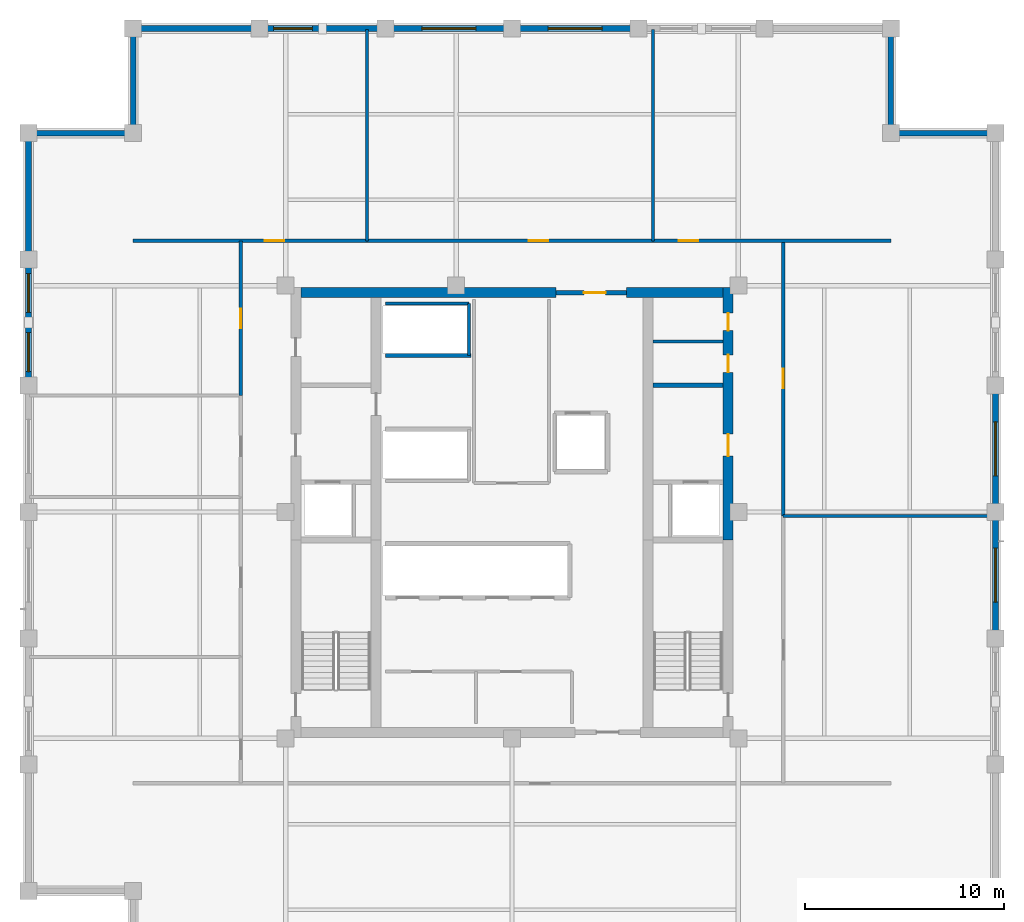
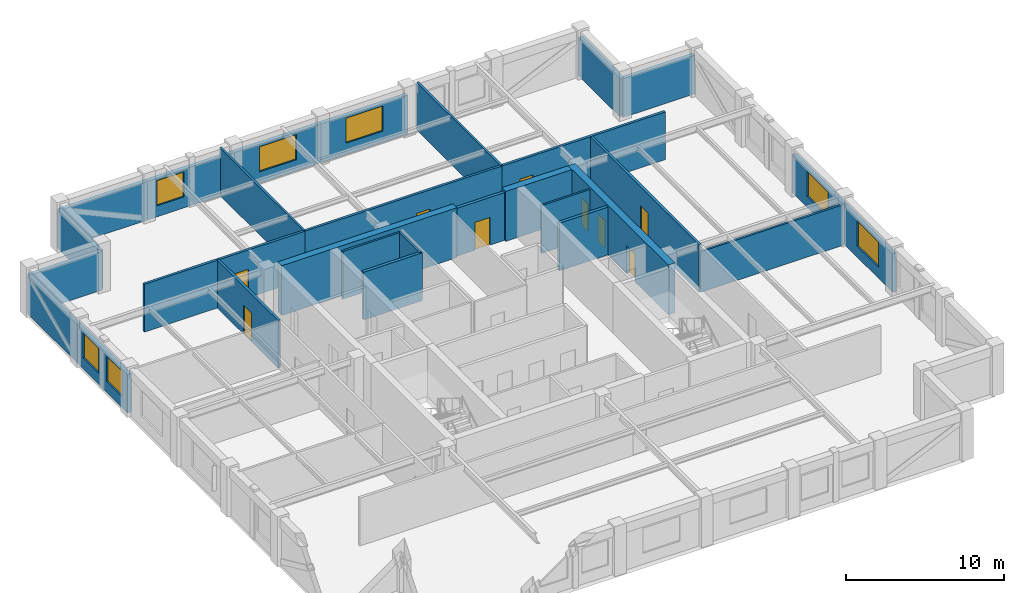
# One storey, part 7 of 9: 29 walls, 9 doors, 7 windows, 16 openings.
"""IFC4 building model written with IfcOpenShell, lengths in metres."""

from ifc_helpers import new_model, si_unit, direction, frame, frame_2d, origin, place, context, subcontext, project, spatial, rectangle, extrude, material, layer, layer_set, type_object, element, fill, save


model = new_model("IFC4")

# Units and contexts
model_context = context("Model", 3, precision=1e-05, world=origin(), true_north=direction((0.0, 1.0)))
body_context = subcontext(model_context, "Body", "Model", "MODEL_VIEW")
ifc_project = project(units=[si_unit("LENGTHUNIT", "METRE"), si_unit("AREAUNIT", "SQUARE_METRE"), si_unit("VOLUMEUNIT", "CUBIC_METRE"), si_unit("PLANEANGLEUNIT", "RADIAN"), si_unit("MASSUNIT", "GRAM", prefix="KILO")], contexts=[model_context])

# Site, building, storey
site_placement = place(None, origin())
site = spatial("IfcSite", under=ifc_project, at=site_placement, CompositionType="ELEMENT")
building_placement = place(site_placement, origin())
building = spatial("IfcBuilding", under=site, at=building_placement, Name="Nhamokura Convention Tower", CompositionType="ELEMENT")
storey_placement = place(building_placement, frame((0.0, 0.0, 190.75)))
storey = spatial("IfcBuildingStorey", under=building, at=storey_placement, Name="L46", CompositionType="ELEMENT", Elevation=190.75)

# Walls
ifc_material_1 = material(Name="Moisture-resistant tile-backer partition", Category="masonry")
ifc_layer_1 = layer(ifc_material_1, 0.139892578125)
ifc_layer_set_1 = layer_set([ifc_layer_1], Name="BathroomWetWall_140")
wall_type_1 = type_object("IfcWallType", Name="BathroomWetWall_140", PredefinedType="STANDARD", material=ifc_layer_set_1)
wall_1_placement = place(storey_placement, frame((39.06005859375, 40.550048828125, 0.0), z_axis=(0.0, 0.0, 1.0), x_axis=(1.0, 0.0, 0.0)))
element("IfcWall", 1, at=wall_1_placement, inside=storey, type_object=wall_type_1, Name="L46 Wall INT-L46-CWNE", PredefinedType="STANDARD", context=body_context, shape_type="SweptSolid", body=[
    extrude(rectangle(XDim=3.530029296875, YDim=0.139892578125, at=frame_2d((1.76513671875, 0.0))), origin(), (0.0, 0.0, 1.0), 3.68505859375),
])
ifc_material_2 = material(Name="Bronze-pigmented precast concrete C45/55", Category="concrete")
ifc_layer_2 = layer(ifc_material_2, 0.280029296875)
ifc_layer_set_2 = layer_set([ifc_layer_2], Name="BronzePrecastSpandrel_280")
wall_type_2 = type_object("IfcWallType", Name="BronzePrecastSpandrel_280", PredefinedType="USERDEFINED", material=ifc_layer_set_2)
wall_2_placement = place(storey_placement, frame((13.0, 56.25, 0.0), z_axis=(0.0, 0.0, 1.0), x_axis=(1.0, 0.0, 0.0)))
element("IfcWall", 2, at=wall_2_placement, inside=storey, type_object=wall_type_2, Name="L46 Braced-Bay Precast Wall NORTH 0", ObjectType="SPANDREL_WALL", PredefinedType="USERDEFINED", context=body_context, shape_type="SweptSolid", body=[
    extrude(rectangle(XDim=6.333251953125, YDim=0.280029296875, at=frame_2d((3.16650390625, 0.0))), origin(), (0.0, 0.0, 1.0), 2.985107421875),
])

# Wall, opening, window
wall_3_placement = place(storey_placement, frame((19.333251953125, 56.25, 0.0), z_axis=(0.0, 0.0, 1.0), x_axis=(1.0, 0.0, 0.0)))
wall_3 = element("IfcWall", 3, at=wall_3_placement, inside=storey, type_object=wall_type_2, Name="L46 Masonry-Frame Wall NORTH 1", ObjectType="SPANDREL_WALL", PredefinedType="USERDEFINED", context=body_context, shape_type="SweptSolid", body=[
    extrude(rectangle(XDim=6.33349609375, YDim=0.280029296875, at=frame_2d((3.166748046875, 0.0))), origin(), (0.0, 0.0, 1.0), 2.985107421875),
])
opening_1_placement = place(wall_3_placement, frame((0.708251953125, 0.0, 0.85009765625)))
opening_1 = element("IfcOpeningElement", 4, at=opening_1_placement, cuts=wall_3, Name="Opening W-08", PredefinedType="OPENING", context=body_context, shape_type="SweptSolid", body=[
    extrude(rectangle(XDim=1.949951171875, YDim=1.93505859375, at=frame_2d((0.97509765625, 0.967529296875))), frame((0.0, 0.14990234375, 0.0), z_axis=(0.0, -1.0, 0.0), x_axis=(1.0, 0.0, 0.0)), (0.0, 0.0, 1.0), 0.300048828125),
])
ifc_material_3 = material(Name="Solar-control bronze low-E double glass", Category="glass")
window_type_1 = type_object("IfcWindowType", Name="OfficeModuleWindow_Z3_1950", PartitioningType="SINGLE_PANEL", PredefinedType="WINDOW", material=ifc_material_3)
window_1_placement = place(opening_1_placement, origin())
window_1 = element("IfcWindow", 5, at=window_1_placement, inside=storey, type_object=window_type_1, Name="L46 Facade Window NORTH 1-1", OverallHeight=1.93505859375, OverallWidth=1.949951171875, PartitioningType="SINGLE_PANEL", PredefinedType="WINDOW", context=body_context, shape_type="SweptSolid", body=[
    extrude(rectangle(XDim=1.949951171875, YDim=1.93505859375, at=frame_2d((0.97509765625, 0.967529296875))), frame((0.0, 0.030029296875, 0.0), z_axis=(0.0, -1.0, 0.0), x_axis=(1.0, 0.0, 0.0)), (0.0, 0.0, 1.0), 0.06005859375),
])
fill(opening_1, window_1)

wall_4_placement = place(storey_placement, frame((25.666748046875, 56.25, 0.0), z_axis=(0.0, 0.0, 1.0), x_axis=(1.0, 0.0, 0.0)))
wall_4 = element("IfcWall", 6, at=wall_4_placement, inside=storey, type_object=wall_type_2, Name="L46 Masonry-Frame Wall NORTH 2", ObjectType="SPANDREL_WALL", PredefinedType="USERDEFINED", context=body_context, shape_type="SweptSolid", body=[
    extrude(rectangle(XDim=6.333251953125, YDim=0.280029296875, at=frame_2d((3.16650390625, 0.0))), origin(), (0.0, 0.0, 1.0), 2.985107421875),
])
opening_2_placement = place(wall_4_placement, frame((1.816650390625, 0.0, 0.85009765625)))
opening_2 = element("IfcOpeningElement", 7, at=opening_2_placement, cuts=wall_4, Name="Opening W-07", PredefinedType="OPENING", context=body_context, shape_type="SweptSolid", body=[
    extrude(rectangle(XDim=2.699951171875, YDim=1.93505859375, at=frame_2d((1.35009765625, 0.967529296875))), frame((0.0, 0.14990234375, 0.0), z_axis=(0.0, -1.0, 0.0), x_axis=(1.0, 0.0, 0.0)), (0.0, 0.0, 1.0), 0.300048828125),
])
ifc_material_4 = material(Name="Solar-control bronze low-E double glass", Category="glass")
window_type_2 = type_object("IfcWindowType", Name="OfficeModuleWindow_Z3_2700", PartitioningType="DOUBLE_PANEL_VERTICAL", PredefinedType="WINDOW", material=ifc_material_4)
window_2_placement = place(opening_2_placement, origin())
window_2 = element("IfcWindow", 8, at=window_2_placement, inside=storey, type_object=window_type_2, Name="L46 Facade Window NORTH 2", OverallHeight=1.93505859375, OverallWidth=2.699951171875, PartitioningType="SINGLE_PANEL", PredefinedType="WINDOW", context=body_context, shape_type="SweptSolid", body=[
    extrude(rectangle(XDim=2.699951171875, YDim=1.93505859375, at=frame_2d((1.35009765625, 0.967529296875))), frame((0.0, 0.030029296875, 0.0), z_axis=(0.0, -1.0, 0.0), x_axis=(1.0, 0.0, 0.0)), (0.0, 0.0, 1.0), 0.06005859375),
])
fill(opening_2, window_2)

wall_5_placement = place(storey_placement, frame((32.0, 56.25, 0.0), z_axis=(0.0, 0.0, 1.0), x_axis=(1.0, 0.0, 0.0)))
wall_5 = element("IfcWall", 9, at=wall_5_placement, inside=storey, type_object=wall_type_2, Name="L46 Masonry-Frame Wall NORTH 3", ObjectType="SPANDREL_WALL", PredefinedType="USERDEFINED", context=body_context, shape_type="SweptSolid", body=[
    extrude(rectangle(XDim=6.333251953125, YDim=0.280029296875, at=frame_2d((3.16650390625, 0.0))), origin(), (0.0, 0.0, 1.0), 2.985107421875),
])
opening_3_placement = place(wall_5_placement, frame((1.816650390625, 0.0, 0.85009765625)))
opening_3 = element("IfcOpeningElement", 10, at=opening_3_placement, cuts=wall_5, Name="Opening W-07", PredefinedType="OPENING", context=body_context, shape_type="SweptSolid", body=[
    extrude(rectangle(XDim=2.699951171875, YDim=1.93505859375, at=frame_2d((1.35009765625, 0.967529296875))), frame((0.0, 0.14990234375, 0.0), z_axis=(0.0, -1.0, 0.0), x_axis=(1.0, 0.0, 0.0)), (0.0, 0.0, 1.0), 0.300048828125),
])
window_3_placement = place(opening_3_placement, origin())
window_3 = element("IfcWindow", 11, at=window_3_placement, inside=storey, type_object=window_type_2, Name="L46 Facade Window NORTH 3", OverallHeight=1.93505859375, OverallWidth=2.699951171875, PartitioningType="SINGLE_PANEL", PredefinedType="WINDOW", context=body_context, shape_type="SweptSolid", body=[
    extrude(rectangle(XDim=2.699951171875, YDim=1.93505859375, at=frame_2d((1.35009765625, 0.967529296875))), frame((0.0, 0.030029296875, 0.0), z_axis=(0.0, -1.0, 0.0), x_axis=(1.0, 0.0, 0.0)), (0.0, 0.0, 1.0), 0.06005859375),
])
fill(opening_3, window_3)

# Wall, openings, windows
wall_6_placement = place(storey_placement, frame((7.75, 38.333251953125, 0.0), z_axis=(0.0, 0.0, 1.0), x_axis=(0.0, 1.0, 0.0)))
wall_6 = element("IfcWall", 12, at=wall_6_placement, inside=storey, type_object=wall_type_2, Name="L46 Masonry-Frame Wall WEST 4", ObjectType="SPANDREL_WALL", PredefinedType="USERDEFINED", context=body_context, shape_type="SweptSolid", body=[
    extrude(rectangle(XDim=6.33349609375, YDim=0.280029296875, at=frame_2d((3.166748046875, 0.0))), origin(), (0.0, 0.0, 1.0), 2.985107421875),
])
opening_4_placement = place(wall_6_placement, frame((0.708251953125, 0.0, 0.85009765625)))
opening_4 = element("IfcOpeningElement", 13, at=opening_4_placement, cuts=wall_6, Name="Opening W-08", PredefinedType="OPENING", context=body_context, shape_type="SweptSolid", body=[
    extrude(rectangle(XDim=1.949951171875, YDim=1.93505859375, at=frame_2d((0.97509765625, 0.967529296875))), frame((0.0, 0.14990234375, 0.0), z_axis=(0.0, -1.0, 0.0), x_axis=(1.0, 0.0, 0.0)), (0.0, 0.0, 1.0), 0.300048828125),
])
opening_5_placement = place(wall_6_placement, frame((3.675048828125, 0.0, 0.85009765625)))
opening_5 = element("IfcOpeningElement", 14, at=opening_5_placement, cuts=wall_6, Name="Opening W-08", PredefinedType="OPENING", context=body_context, shape_type="SweptSolid", body=[
    extrude(rectangle(XDim=1.949951171875, YDim=1.93505859375, at=frame_2d((0.97509765625, 0.967529296875))), frame((0.0, 0.14990234375, 0.0), z_axis=(0.0, -1.0, 0.0), x_axis=(1.0, 0.0, 0.0)), (0.0, 0.0, 1.0), 0.300048828125),
])
window_4_placement = place(opening_4_placement, origin())
window_4 = element("IfcWindow", 15, at=window_4_placement, inside=storey, type_object=window_type_1, Name="L46 Facade Window WEST 4-1", OverallHeight=1.93505859375, OverallWidth=1.949951171875, PartitioningType="SINGLE_PANEL", PredefinedType="WINDOW", context=body_context, shape_type="SweptSolid", body=[
    extrude(rectangle(XDim=1.949951171875, YDim=1.93505859375, at=frame_2d((0.97509765625, 0.967529296875))), frame((0.0, 0.030029296875, 0.0), z_axis=(0.0, -1.0, 0.0), x_axis=(1.0, 0.0, 0.0)), (0.0, 0.0, 1.0), 0.06005859375),
])
fill(opening_4, window_4)
window_5_placement = place(opening_5_placement, origin())
window_5 = element("IfcWindow", 16, at=window_5_placement, inside=storey, type_object=window_type_1, Name="L46 Facade Window WEST 4-2", OverallHeight=1.93505859375, OverallWidth=1.949951171875, PartitioningType="SINGLE_PANEL", PredefinedType="WINDOW", context=body_context, shape_type="SweptSolid", body=[
    extrude(rectangle(XDim=1.949951171875, YDim=1.93505859375, at=frame_2d((0.97509765625, 0.967529296875))), frame((0.0, 0.030029296875, 0.0), z_axis=(0.0, -1.0, 0.0), x_axis=(1.0, 0.0, 0.0)), (0.0, 0.0, 1.0), 0.06005859375),
])
fill(opening_5, window_5)

# Wall
wall_7_placement = place(storey_placement, frame((7.75, 44.666748046875, 0.0), z_axis=(0.0, 0.0, 1.0), x_axis=(0.0, 1.0, 0.0)))
element("IfcWall", 17, at=wall_7_placement, inside=storey, type_object=wall_type_2, Name="L46 Braced-Bay Precast Wall WEST 5", ObjectType="SPANDREL_WALL", PredefinedType="USERDEFINED", context=body_context, shape_type="SweptSolid", body=[
    extrude(rectangle(XDim=6.333251953125, YDim=0.280029296875, at=frame_2d((3.16650390625, 0.0))), origin(), (0.0, 0.0, 1.0), 2.985107421875),
])

# Wall, opening, window
wall_8_placement = place(storey_placement, frame((56.25, 32.0, 0.0), z_axis=(0.0, 0.0, 1.0), x_axis=(0.0, -1.0, 0.0)))
wall_8 = element("IfcWall", 18, at=wall_8_placement, inside=storey, type_object=wall_type_2, Name="L46 Masonry-Frame Wall EAST 2", ObjectType="SPANDREL_WALL", PredefinedType="USERDEFINED", context=body_context, shape_type="SweptSolid", body=[
    extrude(rectangle(XDim=6.333251953125, YDim=0.280029296875, at=frame_2d((3.16650390625, 0.0))), origin(), (0.0, 0.0, 1.0), 2.985107421875),
])
opening_6_placement = place(wall_8_placement, frame((1.816650390625, 0.0, 0.85009765625)))
opening_6 = element("IfcOpeningElement", 19, at=opening_6_placement, cuts=wall_8, Name="Opening W-07", PredefinedType="OPENING", context=body_context, shape_type="SweptSolid", body=[
    extrude(rectangle(XDim=2.699951171875, YDim=1.93505859375, at=frame_2d((1.35009765625, 0.967529296875))), frame((0.0, 0.14990234375, 0.0), z_axis=(0.0, -1.0, 0.0), x_axis=(1.0, 0.0, 0.0)), (0.0, 0.0, 1.0), 0.300048828125),
])
window_6_placement = place(opening_6_placement, origin())
window_6 = element("IfcWindow", 20, at=window_6_placement, inside=storey, type_object=window_type_2, Name="L46 Facade Window EAST 2", OverallHeight=1.93505859375, OverallWidth=2.699951171875, PartitioningType="SINGLE_PANEL", PredefinedType="WINDOW", context=body_context, shape_type="SweptSolid", body=[
    extrude(rectangle(XDim=2.699951171875, YDim=1.93505859375, at=frame_2d((1.35009765625, 0.967529296875))), frame((0.0, 0.030029296875, 0.0), z_axis=(0.0, -1.0, 0.0), x_axis=(1.0, 0.0, 0.0)), (0.0, 0.0, 1.0), 0.06005859375),
])
fill(opening_6, window_6)

wall_9_placement = place(storey_placement, frame((56.25, 38.333251953125, 0.0), z_axis=(0.0, 0.0, 1.0), x_axis=(0.0, -1.0, 0.0)))
wall_9 = element("IfcWall", 21, at=wall_9_placement, inside=storey, type_object=wall_type_2, Name="L46 Masonry-Frame Wall EAST 3", ObjectType="SPANDREL_WALL", PredefinedType="USERDEFINED", context=body_context, shape_type="SweptSolid", body=[
    extrude(rectangle(XDim=6.333251953125, YDim=0.280029296875, at=frame_2d((3.16650390625, 0.0))), origin(), (0.0, 0.0, 1.0), 2.985107421875),
])
opening_7_placement = place(wall_9_placement, frame((1.816650390625, 0.0, 0.85009765625)))
opening_7 = element("IfcOpeningElement", 22, at=opening_7_placement, cuts=wall_9, Name="Opening W-07", PredefinedType="OPENING", context=body_context, shape_type="SweptSolid", body=[
    extrude(rectangle(XDim=2.699951171875, YDim=1.93505859375, at=frame_2d((1.35009765625, 0.967529296875))), frame((0.0, 0.14990234375, 0.0), z_axis=(0.0, -1.0, 0.0), x_axis=(1.0, 0.0, 0.0)), (0.0, 0.0, 1.0), 0.300048828125),
])
window_7_placement = place(opening_7_placement, origin())
window_7 = element("IfcWindow", 23, at=window_7_placement, inside=storey, type_object=window_type_2, Name="L46 Facade Window EAST 3", OverallHeight=1.93505859375, OverallWidth=2.699951171875, PartitioningType="SINGLE_PANEL", PredefinedType="WINDOW", context=body_context, shape_type="SweptSolid", body=[
    extrude(rectangle(XDim=2.699951171875, YDim=1.93505859375, at=frame_2d((1.35009765625, 0.967529296875))), frame((0.0, 0.030029296875, 0.0), z_axis=(0.0, -1.0, 0.0), x_axis=(1.0, 0.0, 0.0)), (0.0, 0.0, 1.0), 0.06005859375),
])
fill(opening_7, window_7)

# Walls
for number, where, z_axis, x_axis, name in (
    (24, (51.0, 51.0, 0.0), (0.0, 0.0, 1.0), (1.0, 0.0, 0.0), "L46 Notched Corner Wall NE1"),
    (25, (51.0, 56.25, 0.0), (0.0, 0.0, 1.0), (0.0, -1.0, 0.0), "L46 Notched Corner Wall NE2"),
    (26, (13.0, 51.0, 0.0), (0.0, 0.0, 1.0), (0.0, 1.0, 0.0), "L46 Notched Corner Wall NW1"),
    (27, (7.75, 51.0, 0.0), (0.0, 0.0, 1.0), (1.0, 0.0, 0.0), "L46 Notched Corner Wall NW2"),
):
    element("IfcWall", number, at=place(storey_placement, frame(where, z_axis=z_axis, x_axis=x_axis)), inside=storey, type_object=wall_type_2, Name=name, ObjectType="SPANDREL_WALL", PredefinedType="USERDEFINED", context=body_context, shape_type="SweptSolid", body=[
        extrude(rectangle(XDim=5.25, YDim=0.280029296875, at=frame_2d((2.625, 0.0))), origin(), (0.0, 0.0, 1.0), 2.985107421875),
    ])

# Wall, openings, doors
ifc_material_5 = material(Name="Concrete C60/75", Category="concrete")
ifc_layer_3 = layer(ifc_material_5, 0.5)
ifc_layer_set_3 = layer_set([ifc_layer_3], Name="CoreShearWall_500")
wall_type_3 = type_object("IfcWallType", Name="CoreShearWall_500", PredefinedType="SHEAR", material=ifc_layer_set_3)
wall_10_placement = place(storey_placement, frame((42.840087890625, 30.60009765625, 0.0), z_axis=(0.0, 0.0, 1.0), x_axis=(0.0, 1.0, 0.0)))
wall_10 = element("IfcWall", 28, at=wall_10_placement, inside=storey, type_object=wall_type_3, Name="L46 Core Shear Wall CW-EN", PredefinedType="SHEAR", context=body_context, shape_type="SweptSolid", body=[
    extrude(rectangle(XDim=12.64990234375, YDim=0.5, at=frame_2d((6.324951171875, 0.0))), origin(), (0.0, 0.0, 1.0), 3.85009765625),
])
opening_8_placement = place(wall_10_placement, frame((4.199951171875, 0.0, 0.0)))
opening_8 = element("IfcOpeningElement", 29, at=opening_8_placement, cuts=wall_10, Name="Opening D-05", PredefinedType="OPENING", context=body_context, shape_type="SweptSolid", body=[
    extrude(rectangle(XDim=1.10009765625, YDim=2.14990234375, at=frame_2d((0.550048828125, 1.074951171875))), frame((0.0, 0.260009765625, 0.0), z_axis=(0.0, -1.0, 0.0), x_axis=(1.0, 0.0, 0.0)), (0.0, 0.0, 1.0), 0.52001953125),
])
opening_9_placement = place(wall_10_placement, frame((8.39990234375, 0.0, 0.0)))
opening_9 = element("IfcOpeningElement", 30, at=opening_9_placement, cuts=wall_10, Name="Opening D-11", PredefinedType="OPENING", context=body_context, shape_type="SweptSolid", body=[
    extrude(rectangle(XDim=0.8798828125, YDim=2.10009765625, at=frame_2d((0.43994140625, 1.050048828125))), frame((0.0, 0.260009765625, 0.0), z_axis=(0.0, -1.0, 0.0), x_axis=(1.0, 0.0, 0.0)), (0.0, 0.0, 1.0), 0.52001953125),
])
opening_10_placement = place(wall_10_placement, frame((10.5, 0.0, 0.0)))
opening_10 = element("IfcOpeningElement", 31, at=opening_10_placement, cuts=wall_10, Name="Opening D-11", PredefinedType="OPENING", context=body_context, shape_type="SweptSolid", body=[
    extrude(rectangle(XDim=0.8798828125, YDim=2.10009765625, at=frame_2d((0.43994140625, 1.050048828125))), frame((0.0, 0.260009765625, 0.0), z_axis=(0.0, -1.0, 0.0), x_axis=(1.0, 0.0, 0.0)), (0.0, 0.0, 1.0), 0.52001953125),
])
ifc_material_6 = material(Name="Solid oak hardwood", Category="wood")
door_type_1 = type_object("IfcDoorType", Name="BathroomDoor_880", OperationType="NOTDEFINED", PredefinedType="DOOR", material=ifc_material_6)
door_1_placement = place(opening_9_placement, origin())
door_1 = element("IfcDoor", 32, at=door_1_placement, inside=storey, type_object=door_type_1, Name="L46 Core Door INT-L46-D-MWC", OperationType="SINGLE_SWING_RIGHT", OverallHeight=2.10009765625, OverallWidth=0.8798828125, PredefinedType="DOOR", context=body_context, shape_type="SweptSolid", body=[
    extrude(rectangle(XDim=0.8798828125, YDim=2.10009765625, at=frame_2d((0.43994140625, 1.050048828125))), frame((0.0, 0.02490234375, 0.0), z_axis=(0.0, -1.0, 0.0), x_axis=(1.0, 0.0, 0.0)), (0.0, 0.0, 1.0), 0.050048828125),
])
fill(opening_9, door_1)
door_2_placement = place(opening_10_placement, origin())
door_2 = element("IfcDoor", 33, at=door_2_placement, inside=storey, type_object=door_type_1, Name="L46 Core Door INT-L46-D-FWC", OperationType="SINGLE_SWING_LEFT", OverallHeight=2.10009765625, OverallWidth=0.8798828125, PredefinedType="DOOR", context=body_context, shape_type="SweptSolid", body=[
    extrude(rectangle(XDim=0.8798828125, YDim=2.10009765625, at=frame_2d((0.43994140625, 1.050048828125))), frame((0.0, 0.02490234375, 0.0), z_axis=(0.0, -1.0, 0.0), x_axis=(1.0, 0.0, 0.0)), (0.0, 0.0, 1.0), 0.050048828125),
])
fill(opening_10, door_2)
ifc_material_7 = material(Name="Fire-rated steel door", Category="steel")
door_type_2 = type_object("IfcDoorType", Name="FireLobbyDoor_1100", OperationType="NOTDEFINED", PredefinedType="DOOR", material=ifc_material_7)
door_3_placement = place(opening_8_placement, origin())
door_3 = element("IfcDoor", 34, at=door_3_placement, inside=storey, type_object=door_type_2, Name="L46 Core Door INT-L46-D-FFLE", OperationType="SINGLE_SWING_LEFT", OverallHeight=2.14990234375, OverallWidth=1.10009765625, PredefinedType="DOOR", context=body_context, shape_type="SweptSolid", body=[
    extrude(rectangle(XDim=1.10009765625, YDim=2.14990234375, at=frame_2d((0.550048828125, 1.074951171875))), frame((0.0, 0.02490234375, 0.0), z_axis=(0.0, -1.0, 0.0), x_axis=(1.0, 0.0, 0.0)), (0.0, 0.0, 1.0), 0.050048828125),
])
fill(opening_8, door_3)

# Walls
wall_11_placement = place(storey_placement, frame((21.409912109375, 43.0, 0.0), z_axis=(0.0, 0.0, 1.0), x_axis=(1.0, 0.0, 0.0)))
element("IfcWall", 35, at=wall_11_placement, inside=storey, type_object=wall_type_3, Name="L46 Core Shear Wall CW-N1", PredefinedType="SHEAR", context=body_context, shape_type="SweptSolid", body=[
    extrude(rectangle(XDim=12.7900390625, YDim=0.5, at=frame_2d((6.39501953125, 0.0))), origin(), (0.0, 0.0, 1.0), 3.85009765625),
])
wall_12_placement = place(storey_placement, frame((37.75, 43.0, 0.0), z_axis=(0.0, 0.0, 1.0), x_axis=(1.0, 0.0, 0.0)))
element("IfcWall", 36, at=wall_12_placement, inside=storey, type_object=wall_type_3, Name="L46 Core Shear Wall CW-N2", PredefinedType="SHEAR", context=body_context, shape_type="SweptSolid", body=[
    extrude(rectangle(XDim=4.840087890625, YDim=0.5, at=frame_2d((2.419921875, 0.0))), origin(), (0.0, 0.0, 1.0), 3.85009765625),
])

# Wall, opening, door
ifc_material_8 = material(Name="Fire-rated gypsum and masonry partition", Category="masonry")
ifc_layer_4 = layer(ifc_material_8, 0.179931640625)
ifc_layer_set_4 = layer_set([ifc_layer_4], Name="CorridorRatedWall_180")
wall_type_4 = type_object("IfcWallType", Name="CorridorRatedWall_180", PredefinedType="STANDARD", material=ifc_layer_set_4)
wall_13_placement = place(storey_placement, frame((13.0, 45.60009765625, 0.0), z_axis=(0.0, 0.0, 1.0), x_axis=(1.0, 0.0, 0.0)))
wall_13 = element("IfcWall", 37, at=wall_13_placement, inside=storey, type_object=wall_type_4, Name="L46 Wall INT-L46-CW-N00", PredefinedType="STANDARD", context=body_context, shape_type="SweptSolid", body=[
    extrude(rectangle(XDim=11.716796875, YDim=0.179931640625, at=frame_2d((5.8583984375, 0.0))), origin(), (0.0, 0.0, 1.0), 3.68505859375),
])
opening_11_placement = place(wall_13_placement, frame((6.6083984375, 0.0, 0.0)))
opening_11 = element("IfcOpeningElement", 38, at=opening_11_placement, cuts=wall_13, Name="Opening D-08", PredefinedType="OPENING", context=body_context, shape_type="SweptSolid", body=[
    extrude(rectangle(XDim=0.97998046875, YDim=2.199951171875, at=frame_2d((0.489990234375, 1.10009765625))), frame((0.0, 0.099853515625, 0.0), z_axis=(0.0, -1.0, 0.0), x_axis=(1.0, 0.0, 0.0)), (0.0, 0.0, 1.0), 0.199951171875),
])
ifc_material_9 = material(Name="Solid oak hardwood", Category="wood")
door_type_3 = type_object("IfcDoorType", Name="OfficeEntryDoor_980", OperationType="NOTDEFINED", PredefinedType="DOOR", material=ifc_material_9)
door_4_placement = place(opening_11_placement, origin())
door_4 = element("IfcDoor", 39, at=door_4_placement, inside=storey, type_object=door_type_3, Name="L46 Risk Laboratory N01 Door", OperationType="SINGLE_SWING_LEFT", OverallHeight=2.199951171875, OverallWidth=0.97998046875, PredefinedType="DOOR", context=body_context, shape_type="SweptSolid", body=[
    extrude(rectangle(XDim=0.97998046875, YDim=2.199951171875, at=frame_2d((0.489990234375, 1.10009765625))), frame((0.0, 0.02490234375, 0.0), z_axis=(0.0, -1.0, 0.0), x_axis=(1.0, 0.0, 0.0)), (0.0, 0.0, 1.0), 0.050048828125),
])
fill(opening_11, door_4)

wall_14_placement = place(storey_placement, frame((24.716796875, 45.60009765625, 0.0), z_axis=(0.0, 0.0, 1.0), x_axis=(1.0, 0.0, 0.0)))
wall_14 = element("IfcWall", 40, at=wall_14_placement, inside=storey, type_object=wall_type_4, Name="L46 Wall INT-L46-CW-N01", PredefinedType="STANDARD", context=body_context, shape_type="SweptSolid", body=[
    extrude(rectangle(XDim=14.366455078125, YDim=0.179931640625, at=frame_2d((7.18310546875, 0.0))), origin(), (0.0, 0.0, 1.0), 3.68505859375),
])
opening_12_placement = place(wall_14_placement, frame((8.13330078125, 0.0, 0.0)))
opening_12 = element("IfcOpeningElement", 41, at=opening_12_placement, cuts=wall_14, Name="Opening D-08", PredefinedType="OPENING", context=body_context, shape_type="SweptSolid", body=[
    extrude(rectangle(XDim=0.97998046875, YDim=2.199951171875, at=frame_2d((0.489990234375, 1.10009765625))), frame((0.0, 0.099853515625, 0.0), z_axis=(0.0, -1.0, 0.0), x_axis=(1.0, 0.0, 0.0)), (0.0, 0.0, 1.0), 0.199951171875),
])
door_5_placement = place(opening_12_placement, origin())
door_5 = element("IfcDoor", 42, at=door_5_placement, inside=storey, type_object=door_type_3, Name="L46 Boardroom N02 Door", OperationType="SINGLE_SWING_RIGHT", OverallHeight=2.199951171875, OverallWidth=0.97998046875, PredefinedType="DOOR", context=body_context, shape_type="SweptSolid", body=[
    extrude(rectangle(XDim=0.97998046875, YDim=2.199951171875, at=frame_2d((0.489990234375, 1.10009765625))), frame((0.0, 0.02490234375, 0.0), z_axis=(0.0, -1.0, 0.0), x_axis=(1.0, 0.0, 0.0)), (0.0, 0.0, 1.0), 0.050048828125),
])
fill(opening_12, door_5)

wall_15_placement = place(storey_placement, frame((39.083251953125, 45.60009765625, 0.0), z_axis=(0.0, 0.0, 1.0), x_axis=(1.0, 0.0, 0.0)))
wall_15 = element("IfcWall", 43, at=wall_15_placement, inside=storey, type_object=wall_type_4, Name="L46 Wall INT-L46-CW-N02", PredefinedType="STANDARD", context=body_context, shape_type="SweptSolid", body=[
    extrude(rectangle(XDim=11.916748046875, YDim=0.179931640625, at=frame_2d((5.95849609375, 0.0))), origin(), (0.0, 0.0, 1.0), 3.68505859375),
])
opening_13_placement = place(wall_15_placement, frame((1.283203125, 0.0, 0.0)))
opening_13 = element("IfcOpeningElement", 44, at=opening_13_placement, cuts=wall_15, Name="Opening D-08", PredefinedType="OPENING", context=body_context, shape_type="SweptSolid", body=[
    extrude(rectangle(XDim=0.97998046875, YDim=2.199951171875, at=frame_2d((0.489990234375, 1.10009765625))), frame((0.0, 0.099853515625, 0.0), z_axis=(0.0, -1.0, 0.0), x_axis=(1.0, 0.0, 0.0)), (0.0, 0.0, 1.0), 0.199951171875),
])
door_6_placement = place(opening_13_placement, origin())
door_6 = element("IfcDoor", 45, at=door_6_placement, inside=storey, type_object=door_type_3, Name="L46 Private Office N03 Door", OperationType="SINGLE_SWING_LEFT", OverallHeight=2.199951171875, OverallWidth=0.97998046875, PredefinedType="DOOR", context=body_context, shape_type="SweptSolid", body=[
    extrude(rectangle(XDim=0.97998046875, YDim=2.199951171875, at=frame_2d((0.489990234375, 1.10009765625))), frame((0.0, 0.02490234375, 0.0), z_axis=(0.0, -1.0, 0.0), x_axis=(1.0, 0.0, 0.0)), (0.0, 0.0, 1.0), 0.050048828125),
])
fill(opening_13, door_6)

wall_16_placement = place(storey_placement, frame((18.39990234375, 37.833251953125, 0.0), z_axis=(0.0, 0.0, 1.0), x_axis=(0.0, 1.0, 0.0)))
wall_16 = element("IfcWall", 46, at=wall_16_placement, inside=storey, type_object=wall_type_4, Name="L46 Wall INT-L46-CW-W03", PredefinedType="STANDARD", context=body_context, shape_type="SweptSolid", body=[
    extrude(rectangle(XDim=7.766845703125, YDim=0.179931640625, at=frame_2d((3.88330078125, 0.0))), origin(), (0.0, 0.0, 1.0), 3.68505859375),
])
opening_14_placement = place(wall_16_placement, frame((3.38330078125, 0.0, 0.0)))
opening_14 = element("IfcOpeningElement", 47, at=opening_14_placement, cuts=wall_16, Name="Opening D-08", PredefinedType="OPENING", context=body_context, shape_type="SweptSolid", body=[
    extrude(rectangle(XDim=0.97998046875, YDim=2.199951171875, at=frame_2d((0.489990234375, 1.10009765625))), frame((0.0, 0.099853515625, 0.0), z_axis=(0.0, -1.0, 0.0), x_axis=(1.0, 0.0, 0.0)), (0.0, 0.0, 1.0), 0.199951171875),
])
door_7_placement = place(opening_14_placement, origin())
door_7 = element("IfcDoor", 48, at=door_7_placement, inside=storey, type_object=door_type_3, Name="L46 Private Office W04 Door", OperationType="SINGLE_SWING_RIGHT", OverallHeight=2.199951171875, OverallWidth=0.97998046875, PredefinedType="DOOR", context=body_context, shape_type="SweptSolid", body=[
    extrude(rectangle(XDim=0.97998046875, YDim=2.199951171875, at=frame_2d((0.489990234375, 1.10009765625))), frame((0.0, 0.02490234375, 0.0), z_axis=(0.0, -1.0, 0.0), x_axis=(1.0, 0.0, 0.0)), (0.0, 0.0, 1.0), 0.050048828125),
])
fill(opening_14, door_7)

wall_17_placement = place(storey_placement, frame((45.60009765625, 31.800048828125, 0.0), z_axis=(0.0, 0.0, 1.0), x_axis=(0.0, 1.0, 0.0)))
wall_17 = element("IfcWall", 49, at=wall_17_placement, inside=storey, type_object=wall_type_4, Name="L46 Wall INT-L46-CW-E01", PredefinedType="STANDARD", context=body_context, shape_type="SweptSolid", body=[
    extrude(rectangle(XDim=13.800048828125, YDim=0.179931640625, at=frame_2d((6.89990234375, 0.0))), origin(), (0.0, 0.0, 1.0), 3.68505859375),
])
opening_15_placement = place(wall_17_placement, frame((6.39990234375, 0.0, 0.0)))
opening_15 = element("IfcOpeningElement", 50, at=opening_15_placement, cuts=wall_17, Name="Opening D-08", PredefinedType="OPENING", context=body_context, shape_type="SweptSolid", body=[
    extrude(rectangle(XDim=0.97998046875, YDim=2.199951171875, at=frame_2d((0.489990234375, 1.10009765625))), frame((0.0, 0.099853515625, 0.0), z_axis=(0.0, -1.0, 0.0), x_axis=(1.0, 0.0, 0.0)), (0.0, 0.0, 1.0), 0.199951171875),
])
door_8_placement = place(opening_15_placement, origin())
door_8 = element("IfcDoor", 51, at=door_8_placement, inside=storey, type_object=door_type_3, Name="L46 Collaboration Lounge E02 Door", OperationType="SINGLE_SWING_RIGHT", OverallHeight=2.199951171875, OverallWidth=0.97998046875, PredefinedType="DOOR", context=body_context, shape_type="SweptSolid", body=[
    extrude(rectangle(XDim=0.97998046875, YDim=2.199951171875, at=frame_2d((0.489990234375, 1.10009765625))), frame((0.0, 0.02490234375, 0.0), z_axis=(0.0, -1.0, 0.0), x_axis=(1.0, 0.0, 0.0)), (0.0, 0.0, 1.0), 0.050048828125),
])
fill(opening_15, door_8)

# Walls
ifc_material_10 = material(Name="Autoclaved concrete blockwork", Category="masonry")
ifc_layer_5 = layer(ifc_material_10, 0.219970703125)
ifc_layer_set_5 = layer_set([ifc_layer_5], Name="FireLobbyWall_220")
wall_type_5 = type_object("IfcWallType", Name="FireLobbyWall_220", PredefinedType="STANDARD", material=ifc_layer_set_5)
wall_18_placement = place(storey_placement, frame((39.06005859375, 38.35009765625, 0.0), z_axis=(0.0, 0.0, 1.0), x_axis=(1.0, 0.0, 0.0)))
element("IfcWall", 52, at=wall_18_placement, inside=storey, type_object=wall_type_5, Name="L46 Wall INT-L46-FFE-N", PredefinedType="STANDARD", context=body_context, shape_type="SweptSolid", body=[
    extrude(rectangle(XDim=3.530029296875, YDim=0.219970703125, at=frame_2d((1.76513671875, 0.0))), origin(), (0.0, 0.0, 1.0), 3.68505859375),
])
wall_19_placement = place(storey_placement, frame((25.64990234375, 39.85009765625, 0.0), z_axis=(0.0, 0.0, 1.0), x_axis=(1.0, 0.0, 0.0)))
element("IfcWall", 53, at=wall_19_placement, inside=storey, type_object=wall_type_5, Name="L46 Wall INT-L46-B3N", PredefinedType="STANDARD", context=body_context, shape_type="SweptSolid", body=[
    extrude(rectangle(XDim=4.300048828125, YDim=0.219970703125, at=frame_2d((2.14990234375, 0.0))), origin(), (0.0, 0.0, 1.0), 3.68505859375),
])

# Wall, opening, door
wall_20_placement = place(storey_placement, frame((34.199951171875, 43.0, 0.0), z_axis=(0.0, 0.0, 1.0), x_axis=(1.0, 0.0, 0.0)))
wall_20 = element("IfcWall", 54, at=wall_20_placement, inside=storey, type_object=wall_type_5, Name="L46 Wall INT-L46-CPORT-N", PredefinedType="STANDARD", context=body_context, shape_type="SweptSolid", body=[
    extrude(rectangle(XDim=3.550048828125, YDim=0.219970703125, at=frame_2d((1.77490234375, 0.0))), origin(), (0.0, 0.0, 1.0), 3.68505859375),
])
opening_16_placement = place(wall_20_placement, frame((1.39990234375, 0.0, 0.0)))
opening_16 = element("IfcOpeningElement", 55, at=opening_16_placement, cuts=wall_20, Name="Opening D-05", PredefinedType="OPENING", context=body_context, shape_type="SweptSolid", body=[
    extrude(rectangle(XDim=1.10009765625, YDim=2.14990234375, at=frame_2d((0.550048828125, 1.074951171875))), frame((0.0, 0.119873046875, 0.0), z_axis=(0.0, -1.0, 0.0), x_axis=(1.0, 0.0, 0.0)), (0.0, 0.0, 1.0), 0.239990234375),
])
door_9_placement = place(opening_16_placement, origin())
door_9 = element("IfcDoor", 56, at=door_9_placement, inside=storey, type_object=door_type_2, Name="L46 North Core Lobby Portal Door", OperationType="SINGLE_SWING_RIGHT", OverallHeight=2.14990234375, OverallWidth=1.10009765625, PredefinedType="DOOR", context=body_context, shape_type="SweptSolid", body=[
    extrude(rectangle(XDim=1.10009765625, YDim=2.14990234375, at=frame_2d((0.550048828125, 1.074951171875))), frame((0.0, 0.02490234375, 0.0), z_axis=(0.0, -1.0, 0.0), x_axis=(1.0, 0.0, 0.0)), (0.0, 0.0, 1.0), 0.050048828125),
])
fill(opening_16, door_9)

# Walls
ifc_material_11 = material(Name="Acoustic gypsum stud partition", Category="masonry")
ifc_layer_6 = layer(ifc_material_11, 0.14990234375)
ifc_layer_set_6 = layer_set([ifc_layer_6], Name="InteriorPartition_150")
wall_type_6 = type_object("IfcWallType", Name="InteriorPartition_150", PredefinedType="STANDARD", material=ifc_layer_set_6)
wall_21_placement = place(storey_placement, frame((25.64990234375, 42.449951171875, 0.0), z_axis=(0.0, 0.0, 1.0), x_axis=(1.0, 0.0, 0.0)))
element("IfcWall", 57, at=wall_21_placement, inside=storey, type_object=wall_type_6, Name="L46 Wall INT-L46-B3B-N", PredefinedType="STANDARD", context=body_context, shape_type="SweptSolid", body=[
    extrude(rectangle(XDim=4.2001953125, YDim=0.14990234375, at=frame_2d((2.10009765625, 0.0))), origin(), (0.0, 0.0, 1.0), 3.68505859375),
])
wall_22_placement = place(storey_placement, frame((29.85009765625, 39.85009765625, 0.0), z_axis=(0.0, 0.0, 1.0), x_axis=(0.0, 1.0, 0.0)))
element("IfcWall", 58, at=wall_22_placement, inside=storey, type_object=wall_type_6, Name="L46 Wall INT-L46-B3B-E", PredefinedType="STANDARD", context=body_context, shape_type="SweptSolid", body=[
    extrude(rectangle(XDim=2.599853515625, YDim=0.14990234375, at=frame_2d((1.2998046875, 0.0))), origin(), (0.0, 0.0, 1.0), 3.68505859375),
])
for number, where, z_axis, x_axis, name in (
    (59, (24.716796875, 45.60009765625, 0.0), (0.0, 0.0, 1.0), (0.0, 1.0, 0.0), "L46 Wall INT-L46-RW-N01"),
    (60, (39.083251953125, 45.60009765625, 0.0), (0.0, 0.0, 1.0), (0.0, 1.0, 0.0), "L46 Wall INT-L46-RW-N02"),
):
    element("IfcWall", number, at=place(storey_placement, frame(where, z_axis=z_axis, x_axis=x_axis)), inside=storey, type_object=wall_type_6, Name=name, PredefinedType="STANDARD", context=body_context, shape_type="SweptSolid", body=[
        extrude(rectangle(XDim=10.58984375, YDim=0.14990234375, at=frame_2d((5.294921875, 0.0))), origin(), (0.0, 0.0, 1.0), 3.68505859375),
    ])
wall_23_placement = place(storey_placement, frame((45.60009765625, 31.800048828125, 0.0), z_axis=(0.0, 0.0, 1.0), x_axis=(1.0, 0.0, 0.0)))
element("IfcWall", 61, at=wall_23_placement, inside=storey, type_object=wall_type_6, Name="L46 Wall INT-L46-RW-E01", PredefinedType="STANDARD", context=body_context, shape_type="SweptSolid", body=[
    extrude(rectangle(XDim=10.58984375, YDim=0.14990234375, at=frame_2d((5.294921875, 0.0))), origin(), (0.0, 0.0, 1.0), 3.134033203125),
])

save(model, "model.ifc")
